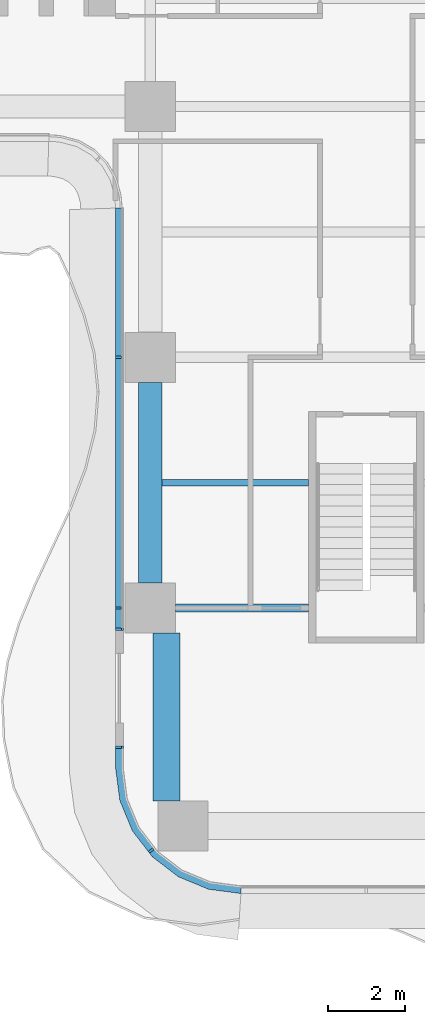
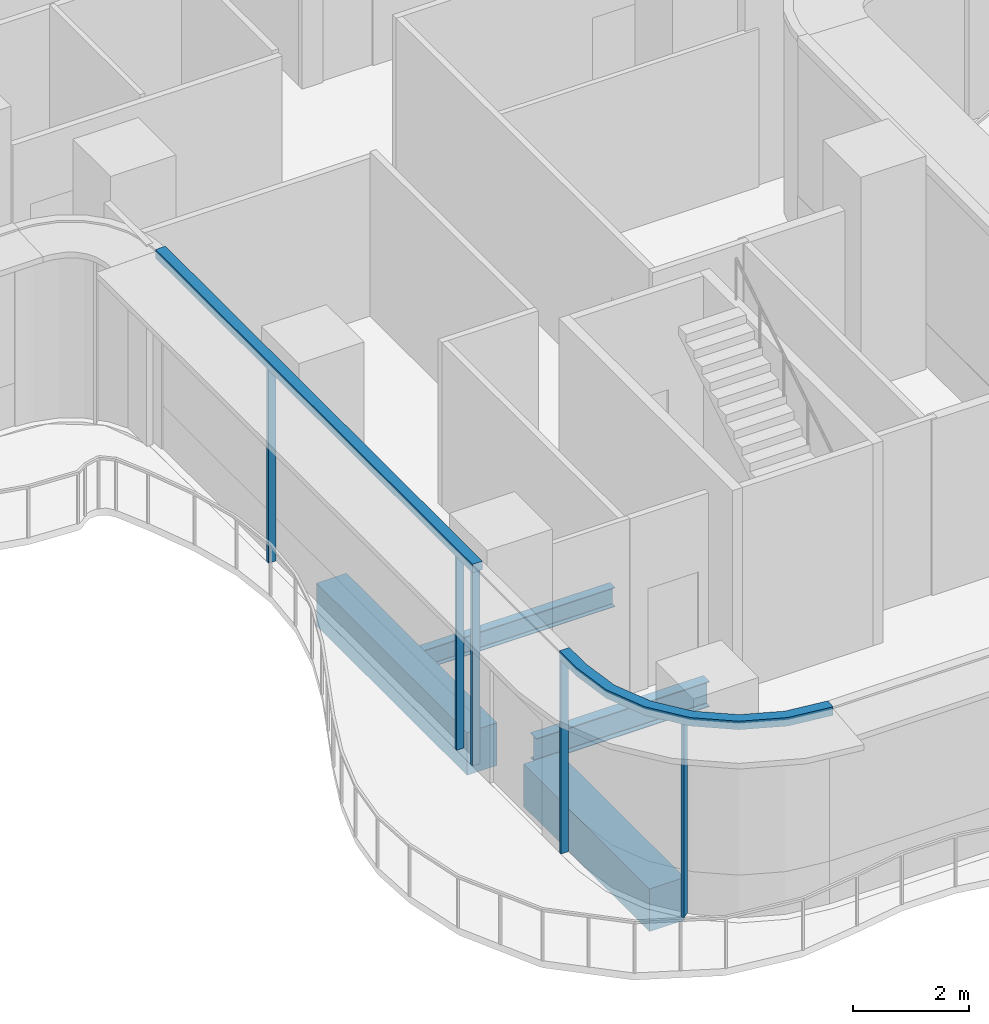
# One storey, part 2 of 20: 7 members, 4 beams, 2 elements without a shape of their own.
"""IFC4 building model written with IfcOpenShell, lengths in metres."""

from ifc_helpers import new_model, si_unit, direction, frame, origin, origin_2d, place, context, subcontext, project, spatial, polyline, rectangle, i_section, outline, extrude, source, transform, mapped, material, layer, layer_set, material_profile, profile_set, type_object, element, aggregate, save


model = new_model("IFC4")

# Units and contexts
model_context = context("Model", 3, precision=1e-05, world=origin(), true_north=direction((0.0, 1.0)))
body_context = subcontext(model_context, "Body", "Model", "MODEL_VIEW")
ifc_project = project(units=[si_unit("LENGTHUNIT", "METRE"), si_unit("AREAUNIT", "SQUARE_METRE"), si_unit("VOLUMEUNIT", "CUBIC_METRE"), si_unit("PLANEANGLEUNIT", "RADIAN"), si_unit("MASSUNIT", "GRAM", prefix="KILO")], contexts=[model_context])

# Site, building, storey
site_placement = place(None, origin())
site = spatial("IfcSite", under=ifc_project, at=site_placement, CompositionType="ELEMENT")
building_placement = place(site_placement, origin())
building = spatial("IfcBuilding", under=site, at=building_placement, Name="Trellis Farm Tower", CompositionType="ELEMENT")
storey_placement = place(building_placement, frame((0.0, 0.0, 142.5)))
storey = spatial("IfcBuildingStorey", under=building, at=storey_placement, Name="L30", CompositionType="ELEMENT", Elevation=142.5)

# Beams
ifc_material_1 = material(Name="Steel S355", Category="steel")
ifc_material_profile_1 = material_profile(ifc_material_1, i_section(OverallWidth=0.177978515625, OverallDepth=0.406494140625, WebThickness=0.0078125, FlangeThickness=0.0126953125, FilletRadius=0.01025390625, at=origin_2d()), Name="UB 406x178x60")
ifc_profile_set_1 = profile_set([ifc_material_profile_1], Name="Steel S355")
beam_type_1 = type_object("IfcBeamType", Name="UB 406x178x60 joist", PredefinedType="JOIST", material=ifc_profile_set_1)
shared_shape_1 = source(origin(), body_context, "Body", "SweptSolid", [
    extrude(i_section(OverallWidth=0.177978515625, OverallDepth=0.406494140625, WebThickness=0.0078125, FlangeThickness=0.0126953125, FilletRadius=0.01025390625, at=origin_2d()), origin(), (0.0, 0.0, 1.0), 3.800048828125),
])
beam_1_placement = place(storey_placement, frame((-5.300048828125, -15.35009765625, -0.453125), z_axis=(1.0, 0.0, 0.0), x_axis=(0.0, 1.0, 0.0)))
element("IfcBeam", 1, at=beam_1_placement, inside=storey, type_object=beam_type_1, Name="Floor beam", PredefinedType="JOIST", context=body_context, shape_type="MappedRepresentation", body=[
    mapped(shared_shape_1, transform((0.0, 0.0, 0.0))),
])
ifc_material_profile_2 = material_profile(ifc_material_1, i_section(OverallWidth=0.209228515625, OverallDepth=0.533203125, WebThickness=0.010009765625, FlangeThickness=0.015625, FilletRadius=0.0126953125, at=origin_2d()), Name="UB 533x210x92")
ifc_profile_set_2 = profile_set([ifc_material_profile_2], Name="Steel S355")
beam_type_2 = type_object("IfcBeamType", Name="UB 533x210x92", PredefinedType="BEAM", material=ifc_profile_set_2)
shared_shape_2 = source(origin(), body_context, "Body", "SweptSolid", [
    extrude(i_section(OverallWidth=0.209228515625, OverallDepth=0.533203125, WebThickness=0.010009765625, FlangeThickness=0.015625, FilletRadius=0.0126953125, at=origin_2d()), origin(), (0.0, 0.0, 1.0), 3.449951171875),
])
beam_2_placement = place(storey_placement, frame((-4.949951171875, -18.60009765625, -0.5166015625), z_axis=(1.0, 0.0, 0.0), x_axis=(0.0, 1.0, 0.0)))
element("IfcBeam", 2, at=beam_2_placement, inside=storey, type_object=beam_type_2, Name="Girder", PredefinedType="BEAM", context=body_context, shape_type="MappedRepresentation", body=[
    mapped(shared_shape_2, transform((0.0, 0.0, 0.0))),
])
ifc_material_2 = material(Name="Concrete C60/75", Category="concrete")
ifc_material_profile_3 = material_profile(ifc_material_2, rectangle(XDim=0.60009765625, YDim=0.89990234375, at=origin_2d()), Name="RC spandrel beam 600x900 C60/75")
ifc_profile_set_3 = profile_set([ifc_material_profile_3], Name="Concrete C60/75")
beam_type_3 = type_object("IfcBeamType", Name="RC spandrel beam 600x900 C60/75", PredefinedType="SPANDREL", material=ifc_profile_set_3)
shared_shape_3 = source(origin(), body_context, "Body", "SweptSolid", [
    extrude(rectangle(XDim=0.60009765625, YDim=0.89990234375, at=origin_2d()), origin(), (0.0, 0.0, 1.0), 5.199951171875),
])
beam_3_placement = place(storey_placement, frame((-5.60009765625, -17.949951171875, -0.699951171875), z_axis=(0.0, 1.0, 0.0), x_axis=(-1.0, 0.0, 0.0)))
element("IfcBeam", 3, at=beam_3_placement, inside=storey, type_object=beam_type_3, Name="Girder", PredefinedType="SPANDREL", context=body_context, shape_type="MappedRepresentation", body=[
    mapped(shared_shape_3, transform((0.0, 0.0, 0.0))),
])
ifc_material_profile_4 = material_profile(ifc_material_2, rectangle(XDim=0.699951171875, YDim=0.89990234375, at=origin_2d()), Name="RC spandrel beam 700x900 C60/75")
ifc_profile_set_4 = profile_set([ifc_material_profile_4], Name="Concrete C60/75")
beam_type_4 = type_object("IfcBeamType", Name="RC spandrel beam 700x900 C60/75", PredefinedType="SPANDREL", material=ifc_profile_set_4)
shared_shape_4 = source(origin(), body_context, "Body", "SweptSolid", [
    extrude(rectangle(XDim=0.699951171875, YDim=0.89990234375, at=origin_2d()), origin(), (0.0, 0.0, 1.0), 4.35009765625),
])
beam_4_placement = place(storey_placement, frame((-5.175048828125, -23.60009765625, -0.699951171875), z_axis=(0.0, 1.0, 0.0), x_axis=(-1.0, 0.0, 0.0)))
element("IfcBeam", 4, at=beam_4_placement, inside=storey, type_object=beam_type_4, Name="Girder", PredefinedType="SPANDREL", context=body_context, shape_type="MappedRepresentation", body=[
    mapped(shared_shape_4, transform((0.0, 0.0, 0.0))),
])

# Curtain wall, members
ifc_material_3 = material(Name="Aluminium and glass curtain wall", Category="aluminium")
ifc_layer_1 = layer(ifc_material_3, 0.18994140625)
ifc_layer_set_1 = layer_set([ifc_layer_1], Name="RIBBON CURTAIN WALL CW1")
curtain_wall_type = type_object("IfcCurtainWallType", Name="RIBBON CURTAIN WALL CW1", PredefinedType="NOTDEFINED", material=ifc_layer_set_1)
placement_1 = place(storey_placement, origin())
curtain_wall_1 = element("IfcCurtainWall", 5, at=placement_1, inside=storey, type_object=curtain_wall_type, Name="CW1 002", PredefinedType="NOTDEFINED")
ifc_material_4 = material(Name="Aluminium extrusion 6063-T6", Category="aluminium")
ifc_material_profile_5 = material_profile(ifc_material_4, rectangle(XDim=0.06005859375, YDim=0.14990234375, at=origin_2d()), Name="MULLION 60x150")
ifc_profile_set_5 = profile_set([ifc_material_profile_5], Name="Aluminium extrusion 6063-T6")
member_type_1 = type_object("IfcMemberType", Name="CW1 MULLION 60x150", PredefinedType="MULLION", material=ifc_profile_set_5)
shared_shape_5 = source(origin(), body_context, "Body", "SweptSolid", [
    extrude(rectangle(XDim=0.06005859375, YDim=0.14990234375, at=origin_2d()), origin(), (0.0, 0.0, 1.0), 4.070068359375),
])
member_1_placement = place(storey_placement, frame((-6.425048828125, -12.10009765625, 0.0), z_axis=(0.0, 0.0, 1.0), x_axis=(0.0, -1.0, 0.0)))
member_1 = element("IfcMember", 6, at=member_1_placement, type_object=member_type_1, Name="MU1 002-01", PredefinedType="MULLION", context=body_context, shape_type="MappedRepresentation", body=[
    mapped(shared_shape_5, transform((0.0, 0.0, 0.0))),
])
member_2_placement = place(storey_placement, frame((-6.425048828125, -18.60009765625, 0.0), z_axis=(0.0, 0.0, 1.0), x_axis=(0.0, -1.0, 0.0)))
member_2 = element("IfcMember", 7, at=member_2_placement, type_object=member_type_1, Name="MU1 002-02", PredefinedType="MULLION", context=body_context, shape_type="MappedRepresentation", body=[
    mapped(shared_shape_5, transform((0.0, 0.0, 0.0))),
])
member_3_placement = place(storey_placement, frame((-6.425048828125, -19.14501953125, 0.0), z_axis=(0.0, 0.0, 1.0), x_axis=(0.0, -1.0, 0.0)))
member_3 = element("IfcMember", 8, at=member_3_placement, type_object=member_type_1, Name="MU1 002-03", PredefinedType="MULLION", context=body_context, shape_type="MappedRepresentation", body=[
    mapped(shared_shape_5, transform((0.0, 0.0, 0.0))),
])

curtain_wall_2 = element("IfcCurtainWall", 9, at=placement_1, inside=storey, type_object=curtain_wall_type, Name="CW1 003", PredefinedType="NOTDEFINED")
member_4_placement = place(storey_placement, frame((-6.425048828125, -22.205078125, 0.0), z_axis=(0.0, 0.0, 1.0), x_axis=(0.0, -1.0, 0.0)))
member_4 = element("IfcMember", 10, at=member_4_placement, type_object=member_type_1, Name="MU1 003-01", PredefinedType="MULLION", context=body_context, shape_type="MappedRepresentation", body=[
    mapped(shared_shape_5, transform((0.0, 0.0, 0.0))),
])
member_5_placement = place(storey_placement, frame((-5.578369140625, -24.885498046875, 0.0), z_axis=(0.0, 0.0, 1.0), x_axis=(0.608761429009, -0.793353340291, 0.0)))
member_5 = element("IfcMember", 11, at=member_5_placement, type_object=member_type_1, Name="MU1 003-02", PredefinedType="MULLION", context=body_context, shape_type="MappedRepresentation", body=[
    mapped(shared_shape_5, transform((0.0, 0.0, 0.0))),
])

# Member
ifc_layer_2 = layer(ifc_material_4, 0.199951171875)
ifc_layer_set_2 = layer_set([ifc_layer_2], Name="Aluminium extrusion 6063-T6")
member_type_2 = type_object("IfcMemberType", Name="CW1 TRANSOM 200x180", PredefinedType="USERDEFINED", material=ifc_layer_set_2)
shared_shape_6 = source(origin(), body_context, "Body", "SweptSolid", [
    extrude(outline(polyline([(-6.5, -8.2314453125), (-6.5, -19.175048828125), (-6.300048828125, -19.175048828125), (-6.300048828125, -8.224853515625), (-6.5, -8.2314453125)])), origin(), (0.0, 0.0, 1.0), 0.179931640625),
])
placement_2 = place(storey_placement, frame((0.0, 0.0, 4.070068359375)))
member_6 = element("IfcMember", 12, at=placement_2, type_object=member_type_2, Name="TR1 002", ObjectType="TRANSOM", PredefinedType="USERDEFINED", context=body_context, shape_type="MappedRepresentation", body=[
    mapped(shared_shape_6, transform((0.0, 0.0, 0.0))),
])

aggregate(curtain_wall_1, [member_1, member_2, member_3, member_6])

shared_shape_7 = source(origin(), body_context, "Body", "SweptSolid", [
    extrude(outline(polyline([(-6.5, -22.175048828125), (-6.5, -22.75), (-6.38916015625, -23.591064453125), (-6.064697265625, -24.375), (-5.548095703125, -25.048095703125), (-4.875, -25.564697265625), (-4.091064453125, -25.88916015625), (-3.25, -26.0), (-3.23681640625, -25.800048828125), (-4.0390625, -25.6943359375), (-4.774169921875, -25.389892578125), (-5.405517578125, -24.905517578125), (-5.889892578125, -24.274169921875), (-6.1943359375, -23.5390625), (-6.300048828125, -22.73681640625), (-6.300048828125, -22.175048828125), (-6.5, -22.175048828125)])), origin(), (0.0, 0.0, 1.0), 0.179931640625),
])
member_7 = element("IfcMember", 13, at=placement_2, type_object=member_type_2, Name="TR1 003", ObjectType="TRANSOM", PredefinedType="USERDEFINED", context=body_context, shape_type="MappedRepresentation", body=[
    mapped(shared_shape_7, transform((0.0, 0.0, 0.0))),
])

aggregate(curtain_wall_2, [member_4, member_5, member_7])

save(model, "model.ifc")
